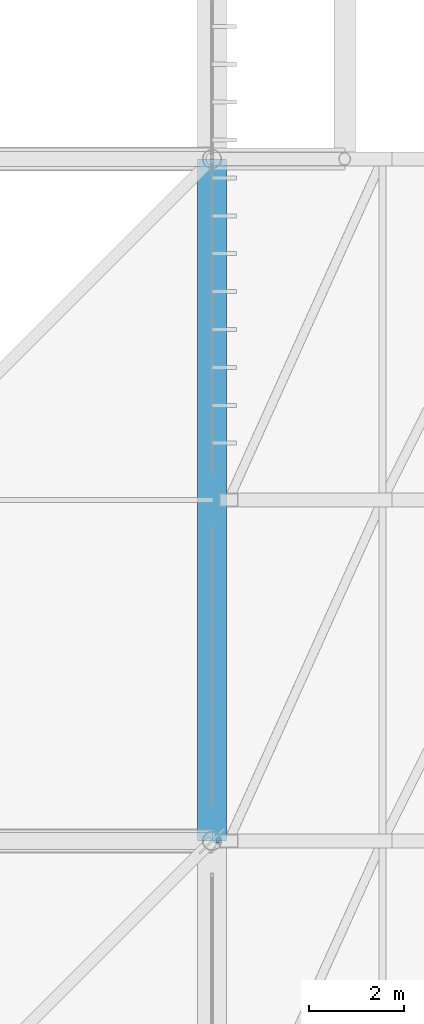
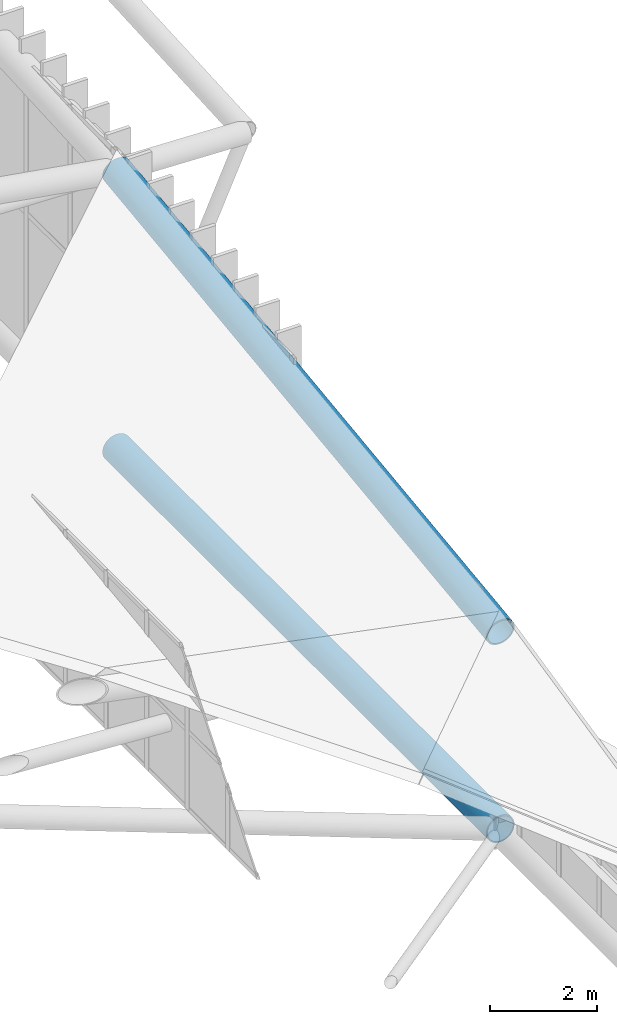
# One storey, part 152 of 397: 2 beams.
"""IFC4 building model written with IfcOpenShell, lengths in metres."""

import ifcopenshell
import ifcopenshell.guid

model = None  # the IFC model being written
_history = None  # IfcOwnerHistory: only IFC2X3 demands one
_inside = {}  # id of a spatial element -> (the spatial element, [elements in it])
_under = {}  # id of a project, library or spatial element -> (it, [spatial elements below it])
_declared = {}  # id of a project -> (the project, [libraries it declares])
_typed = {}  # id of a type object -> (the type object, [elements of that type])
_made_of = {}  # id of a material, layer set ... -> (it, [elements and type objects made of it])


def new_model(schema):
    """Start an empty IFC model of exactly this schema.

    Asked for "IFC4X3", IfcOpenShell would pick the latest addendum, in which some entities
    have other attributes; the version numbers below select the first issue.
    IFC2X3 requires an IfcOwnerHistory on every rooted entity: one is made here for all.
    """
    global model, _history
    if schema == "IFC4X3":
        model = ifcopenshell.file(schema_version=(4, 3, 0, 0))
    else:
        model = ifcopenshell.file(schema=schema)
    _inside.clear()
    _under.clear()
    _declared.clear()
    _typed.clear()
    _made_of.clear()
    _history = None
    if model.schema == "IFC2X3":
        org = make("IfcOrganization", Name="unknown")
        user = make(
            "IfcPersonAndOrganization",
            ThePerson=make("IfcPerson", FamilyName="unknown"),
            TheOrganization=org,
        )
        app = make(
            "IfcApplication",
            ApplicationDeveloper=org,
            Version="unknown",
            ApplicationFullName="unknown",
            ApplicationIdentifier="unknown",
        )
        _history = make(
            "IfcOwnerHistory",
            OwningUser=user,
            OwningApplication=app,
            ChangeAction="ADDED",
            CreationDate=0,
        )
    return model


def make(cls, **values):
    """One entity of the class cls with the attributes given. An attribute that is None is left unset."""
    return model.create_entity(
        cls, **{name: value for name, value in values.items() if value is not None}
    )


def rooted(cls, **values):
    """An entity with a GlobalId (a new one), such as an element, a storey or a relation."""
    return make(cls, GlobalId=ifcopenshell.guid.new(), OwnerHistory=_history, **values)


def si_unit(unit_type, name, prefix=None):
    """IfcSIUnit, for example si_unit("LENGTHUNIT", "METRE", prefix="MILLI")."""
    return make("IfcSIUnit", UnitType=unit_type, Prefix=prefix, Name=name)


def assignment(units):
    """IfcUnitAssignment: the units of a project."""
    return None if units is None else make("IfcUnitAssignment", Units=units)


def point(xyz):
    """IfcCartesianPoint."""
    return None if xyz is None else make("IfcCartesianPoint", Coordinates=xyz)


def direction(xyz):
    """IfcDirection."""
    return None if xyz is None else make("IfcDirection", DirectionRatios=xyz)


def frame(location, z_axis=None, x_axis=None):
    """IfcAxis2Placement3D, a coordinate frame: its origin and axes. An axis left out is left unset."""
    return make(
        "IfcAxis2Placement3D",
        Location=point(location),
        Axis=direction(z_axis),
        RefDirection=direction(x_axis),
    )


def frame_2d(location, x_axis=None):
    """IfcAxis2Placement2D, a coordinate frame in the plane: its origin and x axis."""
    return make(
        "IfcAxis2Placement2D", Location=point(location), RefDirection=direction(x_axis)
    )


def origin():
    """The frame at (0, 0, 0) with its axes left unset."""
    return frame((0.0, 0.0, 0.0))


def origin_2d():
    """The frame at (0, 0) in the plane with its x axis left unset."""
    return frame_2d((0.0, 0.0))


def place(relative_to, where):
    """IfcLocalPlacement: puts the frame where relative to a parent placement (None: the world)."""
    return make(
        "IfcLocalPlacement", PlacementRelTo=relative_to, RelativePlacement=where
    )


def context(
    kind, dimensions, precision=None, world=None, true_north=None, identifier=None
):
    """IfcGeometricRepresentationContext, for example the 3D "Model" context."""
    return make(
        "IfcGeometricRepresentationContext",
        ContextIdentifier=identifier,
        ContextType=kind,
        CoordinateSpaceDimension=dimensions,
        Precision=precision,
        WorldCoordinateSystem=world,
        TrueNorth=true_north,
    )


def subcontext(parent, identifier, kind, view, scale=None):
    """IfcGeometricRepresentationSubContext, for example "Body" below "Model"."""
    return make(
        "IfcGeometricRepresentationSubContext",
        ContextIdentifier=identifier,
        ContextType=kind,
        ParentContext=parent,
        TargetScale=scale,
        TargetView=view,
    )


def project(units=None, contexts=None):
    """IfcProject with its units and contexts."""
    return rooted(
        "IfcProject",
        Name="project",
        RepresentationContexts=contexts,
        UnitsInContext=assignment(units),
    )


def spatial(cls, under=None, at=None, **own):
    """A site, building, storey or space (cls), placed at a placement, below another one or the project."""
    s = rooted(cls, ObjectPlacement=at, **own)
    if under is not None:
        _under.setdefault(under.id(), (under, []))[1].append(s)
    return s


def profile(cls, at=None, kind="AREA", **sizes):
    """A parametric profile (cls). Its sizes go by their IFC names, for example OverallWidth=200.0."""
    return make(cls, ProfileType=kind, Position=at, **sizes)


def hollow_circle(**sizes):
    """IfcCircleHollowProfileDef."""
    return profile("IfcCircleHollowProfileDef", **sizes)


def extrude(swept, where, along, depth):
    """IfcExtrudedAreaSolid: the profile swept, set in the frame where, extruded along a direction by depth."""
    return make(
        "IfcExtrudedAreaSolid",
        SweptArea=swept,
        Position=where,
        ExtrudedDirection=direction(along),
        Depth=depth,
    )


def shape(context_of_items, identifier, shape_type, items):
    """IfcShapeRepresentation: the items that make up one representation, for example the "Body"."""
    return make(
        "IfcShapeRepresentation",
        ContextOfItems=context_of_items,
        RepresentationIdentifier=identifier,
        RepresentationType=shape_type,
        Items=items,
    )


def material(Name=None, Category=None):
    """IfcMaterial."""
    return make("IfcMaterial", Name=Name, Category=Category)


def material_profile(
    of_material, cross_section, Name=None, Category=None, Priority=None
):
    """IfcMaterialProfile: a cross section and its material."""
    return make(
        "IfcMaterialProfile",
        Name=Name,
        Material=of_material,
        Profile=cross_section,
        Priority=Priority,
        Category=Category,
    )


def profile_set(profiles, Name=None, composite=None):
    """IfcMaterialProfileSet."""
    return make(
        "IfcMaterialProfileSet",
        Name=Name,
        MaterialProfiles=profiles,
        CompositeProfile=composite,
    )


def made_of(thing, what):
    """Note that an element or type object is made of a material, layer set ...; save() writes the relation."""
    if what is not None:
        _made_of.setdefault(what.id(), (what, []))[1].append(thing)
    return thing


def type_object(cls, material=None, **own):
    """A type object (cls), such as IfcWallType, which elements share."""
    return made_of(rooted(cls, **own), material)


def element(
    cls,
    number,
    at=None,
    inside=None,
    cuts=None,
    type_object=None,
    material=None,
    context=None,
    identifier="Body",
    shape_type=None,
    held_by="IfcProductDefinitionShape",
    body=None,
    shapes=None,
    **own,
):
    """One element of the class cls, such as IfcWall. Its Tag is "e" and its number.

    at: its placement. inside: the storey or other place that contains it. cuts: it is an
    opening in that element (IfcRelVoidsElement). A single representation is given by context,
    identifier, shape_type and body (its items); several are given by shapes. held_by: the class
    of the entity that holds the representations. save() writes the other relations.
    """
    e = rooted(cls, Tag="e%d" % number, ObjectPlacement=at, **own)
    if body is not None:
        shapes = [shape(context, identifier, shape_type, body)]
    if shapes is not None:
        e.Representation = make(held_by, Representations=shapes)
    if inside is not None:
        _inside.setdefault(inside.id(), (inside, []))[1].append(e)
    if cuts is not None:
        rooted(
            "IfcRelVoidsElement", RelatingBuildingElement=cuts, RelatedOpeningElement=e
        )
    if type_object is not None:
        _typed.setdefault(type_object.id(), (type_object, []))[1].append(e)
    return made_of(e, material)


def aggregate(whole, parts):
    """IfcRelAggregates: a whole, such as a stair, and the parts it consists of."""
    return rooted("IfcRelAggregates", RelatingObject=whole, RelatedObjects=parts)


def save(model, path):
    """Write the relations noted so far, then the file.

    IfcRelAggregates (storeys below a building ...), IfcRelContainedInSpatialStructure (elements
    in a storey), IfcRelDefinesByType, IfcRelAssociatesMaterial and IfcRelDeclares: one each for
    every whole, place, type object, material and project.
    """
    for whole, parts in _under.values():
        aggregate(whole, parts)
    for where, things in _inside.values():
        rooted(
            "IfcRelContainedInSpatialStructure",
            RelatedElements=things,
            RelatingStructure=where,
        )
    for kind, things in _typed.values():
        rooted("IfcRelDefinesByType", RelatedObjects=things, RelatingType=kind)
    for what, things in _made_of.values():
        rooted("IfcRelAssociatesMaterial", RelatedObjects=things, RelatingMaterial=what)
    for by, libraries in _declared.values():
        rooted("IfcRelDeclares", RelatingContext=by, RelatedDefinitions=libraries)
    model.write(path)


model = new_model("IFC4")

# Units and contexts
model_context = context("Model", 3, precision=1e-05, world=origin(), true_north=direction((0.0, 1.0)))
body_context = subcontext(model_context, "Body", "Model", "MODEL_VIEW")
ifc_project = project(units=[si_unit("LENGTHUNIT", "METRE"), si_unit("AREAUNIT", "SQUARE_METRE"), si_unit("VOLUMEUNIT", "CUBIC_METRE"), si_unit("PLANEANGLEUNIT", "RADIAN"), si_unit("MASSUNIT", "GRAM", prefix="KILO")], contexts=[model_context])

# Site, building, storey
site_placement = place(None, origin())
site = spatial("IfcSite", under=ifc_project, at=site_placement, CompositionType="ELEMENT")
building_placement = place(site_placement, origin())
building = spatial("IfcBuilding", under=site, at=building_placement, Name="Qandorah Velis Arena", CompositionType="ELEMENT")
storey_placement = place(building_placement, frame((0.0, 0.0, 27.5)))
storey = spatial("IfcBuildingStorey", under=building, at=storey_placement, Name="RF", CompositionType="ELEMENT", Elevation=27.5)

# Beams
ifc_material = material(Name="Steel S460", Category="steel")
ifc_material_profile_1 = material_profile(ifc_material, hollow_circle(Radius=0.304931640625, WallThickness=0.02490234375, at=origin_2d()), Name="CHS 610x25")
ifc_profile_set_1 = profile_set([ifc_material_profile_1], Name="Steel S460")
beam_type_1 = type_object("IfcBeamType", Name="STR-SFC-CHS610X25", PredefinedType="USERDEFINED", material=ifc_profile_set_1)
beam_1_placement = place(storey_placement, frame((115.199951171875, 28.800048828125, 0.10009765625), z_axis=(0.0, 1.0, 0.0), x_axis=(-1.0, 0.0, 0.0)))
element("IfcBeam", 1, at=beam_1_placement, inside=storey, type_object=beam_type_1, Name="Space frame roof truss bottom chord Y 7.1", ObjectType="ROOF TRUSS", PredefinedType="USERDEFINED", context=body_context, shape_type="SweptSolid", body=[
    extrude(hollow_circle(Radius=0.304931640625, WallThickness=0.02490234375, at=origin_2d()), origin(), (0.0, 0.0, 1.0), 14.39990234375),
])
ifc_material_profile_2 = material_profile(ifc_material, hollow_circle(Radius=0.304931640625, WallThickness=0.031982421875, at=origin_2d()), Name="CHS 610x32")
ifc_profile_set_2 = profile_set([ifc_material_profile_2], Name="Steel S460")
beam_type_2 = type_object("IfcBeamType", Name="STR-SFC-CHS610X32", PredefinedType="USERDEFINED", material=ifc_profile_set_2)
beam_2_placement = place(storey_placement, frame((115.199951171875, 28.800048828125, 4.6083984375), z_axis=(0.0, 0.991934175559, 0.126754058546), x_axis=(-1.0, 0.0, 0.0)))
element("IfcBeam", 2, at=beam_2_placement, inside=storey, type_object=beam_type_2, Name="Space frame roof truss top chord Y 7.1", ObjectType="ROOF TRUSS", PredefinedType="USERDEFINED", context=body_context, shape_type="SweptSolid", body=[
    extrude(hollow_circle(Radius=0.304931640625, WallThickness=0.031982421875, at=origin_2d()), origin(), (0.0, 0.0, 1.0), 14.51708984375),
])

save(model, "model.ifc")
